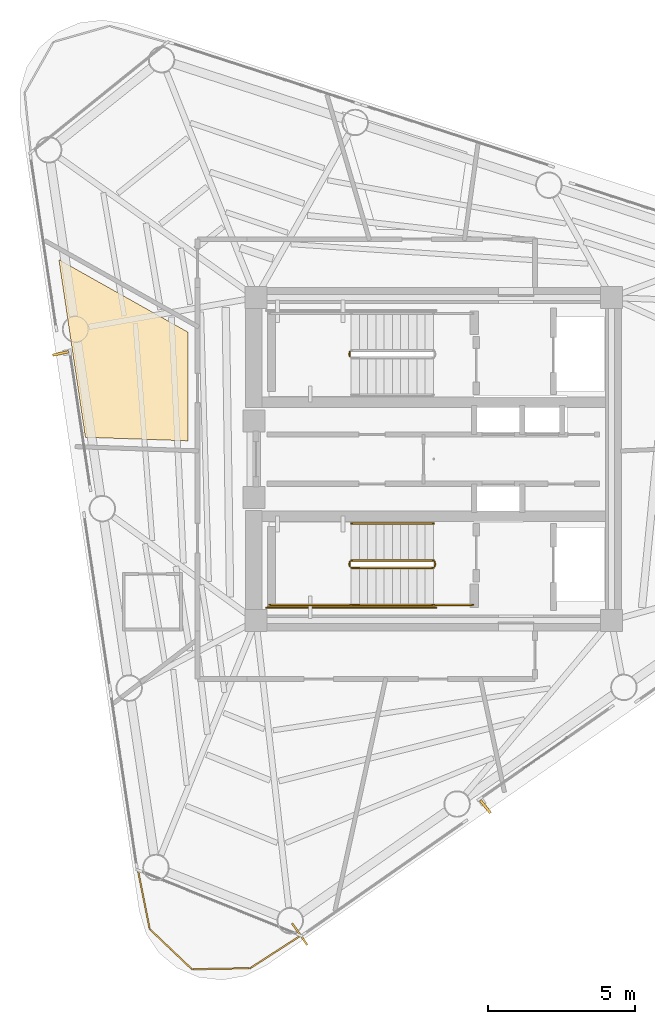
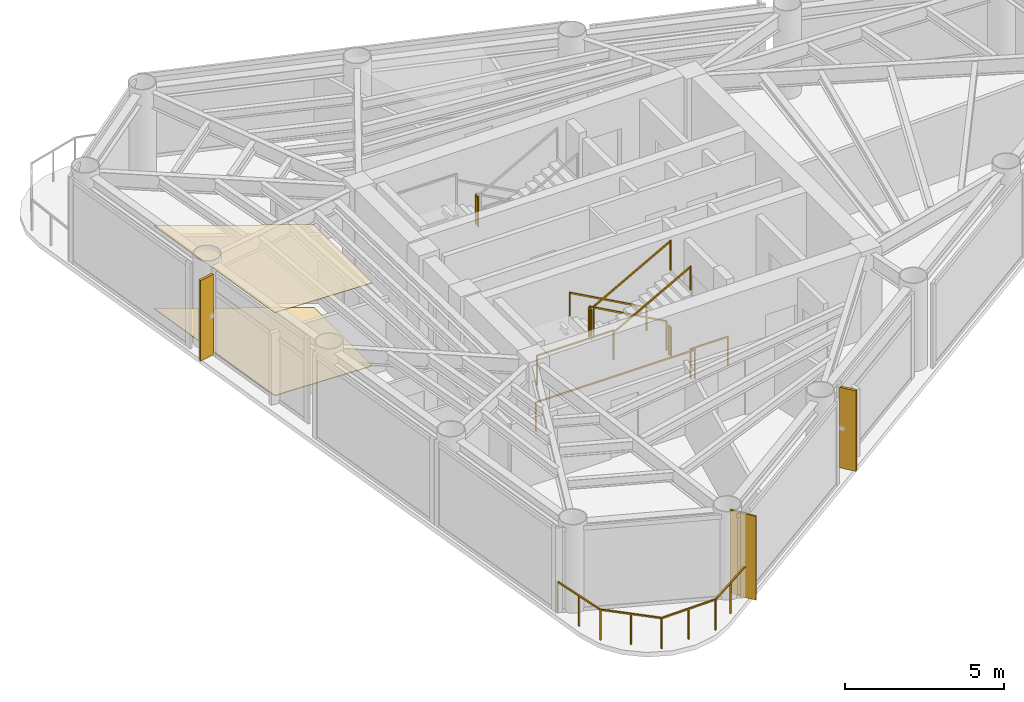
# One storey, part 7 of 9: 11 railings, 3 coverings, 2 shading devices.
"""IFC4 building model written with IfcOpenShell, lengths in metres."""

import ifcopenshell
import ifcopenshell.guid

model = None  # the IFC model being written
_history = None  # IfcOwnerHistory: only IFC2X3 demands one
_inside = {}  # id of a spatial element -> (the spatial element, [elements in it])
_under = {}  # id of a project, library or spatial element -> (it, [spatial elements below it])
_declared = {}  # id of a project -> (the project, [libraries it declares])
_typed = {}  # id of a type object -> (the type object, [elements of that type])
_made_of = {}  # id of a material, layer set ... -> (it, [elements and type objects made of it])


def new_model(schema):
    """Start an empty IFC model of exactly this schema.

    Asked for "IFC4X3", IfcOpenShell would pick the latest addendum, in which some entities
    have other attributes; the version numbers below select the first issue.
    IFC2X3 requires an IfcOwnerHistory on every rooted entity: one is made here for all.
    """
    global model, _history
    if schema == "IFC4X3":
        model = ifcopenshell.file(schema_version=(4, 3, 0, 0))
    else:
        model = ifcopenshell.file(schema=schema)
    _inside.clear()
    _under.clear()
    _declared.clear()
    _typed.clear()
    _made_of.clear()
    _history = None
    if model.schema == "IFC2X3":
        org = make("IfcOrganization", Name="unknown")
        user = make(
            "IfcPersonAndOrganization",
            ThePerson=make("IfcPerson", FamilyName="unknown"),
            TheOrganization=org,
        )
        app = make(
            "IfcApplication",
            ApplicationDeveloper=org,
            Version="unknown",
            ApplicationFullName="unknown",
            ApplicationIdentifier="unknown",
        )
        _history = make(
            "IfcOwnerHistory",
            OwningUser=user,
            OwningApplication=app,
            ChangeAction="ADDED",
            CreationDate=0,
        )
    return model


def make(cls, **values):
    """One entity of the class cls with the attributes given. An attribute that is None is left unset."""
    return model.create_entity(
        cls, **{name: value for name, value in values.items() if value is not None}
    )


def rooted(cls, **values):
    """An entity with a GlobalId (a new one), such as an element, a storey or a relation."""
    return make(cls, GlobalId=ifcopenshell.guid.new(), OwnerHistory=_history, **values)


def si_unit(unit_type, name, prefix=None):
    """IfcSIUnit, for example si_unit("LENGTHUNIT", "METRE", prefix="MILLI")."""
    return make("IfcSIUnit", UnitType=unit_type, Prefix=prefix, Name=name)


def assignment(units):
    """IfcUnitAssignment: the units of a project."""
    return None if units is None else make("IfcUnitAssignment", Units=units)


def point(xyz):
    """IfcCartesianPoint."""
    return None if xyz is None else make("IfcCartesianPoint", Coordinates=xyz)


def direction(xyz):
    """IfcDirection."""
    return None if xyz is None else make("IfcDirection", DirectionRatios=xyz)


def frame(location, z_axis=None, x_axis=None):
    """IfcAxis2Placement3D, a coordinate frame: its origin and axes. An axis left out is left unset."""
    return make(
        "IfcAxis2Placement3D",
        Location=point(location),
        Axis=direction(z_axis),
        RefDirection=direction(x_axis),
    )


def frame_2d(location, x_axis=None):
    """IfcAxis2Placement2D, a coordinate frame in the plane: its origin and x axis."""
    return make(
        "IfcAxis2Placement2D", Location=point(location), RefDirection=direction(x_axis)
    )


def origin():
    """The frame at (0, 0, 0) with its axes left unset."""
    return frame((0.0, 0.0, 0.0))


def origin_2d():
    """The frame at (0, 0) in the plane with its x axis left unset."""
    return frame_2d((0.0, 0.0))


def place(relative_to, where):
    """IfcLocalPlacement: puts the frame where relative to a parent placement (None: the world)."""
    return make(
        "IfcLocalPlacement", PlacementRelTo=relative_to, RelativePlacement=where
    )


def context(
    kind, dimensions, precision=None, world=None, true_north=None, identifier=None
):
    """IfcGeometricRepresentationContext, for example the 3D "Model" context."""
    return make(
        "IfcGeometricRepresentationContext",
        ContextIdentifier=identifier,
        ContextType=kind,
        CoordinateSpaceDimension=dimensions,
        Precision=precision,
        WorldCoordinateSystem=world,
        TrueNorth=true_north,
    )


def subcontext(parent, identifier, kind, view, scale=None):
    """IfcGeometricRepresentationSubContext, for example "Body" below "Model"."""
    return make(
        "IfcGeometricRepresentationSubContext",
        ContextIdentifier=identifier,
        ContextType=kind,
        ParentContext=parent,
        TargetScale=scale,
        TargetView=view,
    )


def project(units=None, contexts=None):
    """IfcProject with its units and contexts."""
    return rooted(
        "IfcProject",
        Name="project",
        RepresentationContexts=contexts,
        UnitsInContext=assignment(units),
    )


def spatial(cls, under=None, at=None, **own):
    """A site, building, storey or space (cls), placed at a placement, below another one or the project."""
    s = rooted(cls, ObjectPlacement=at, **own)
    if under is not None:
        _under.setdefault(under.id(), (under, []))[1].append(s)
    return s


def polyline(points):
    """IfcPolyline through the points."""
    return make("IfcPolyline", Points=[point(p) for p in points])


def profile(cls, at=None, kind="AREA", **sizes):
    """A parametric profile (cls). Its sizes go by their IFC names, for example OverallWidth=200.0."""
    return make(cls, ProfileType=kind, Position=at, **sizes)


def rectangle(**sizes):
    """IfcRectangleProfileDef."""
    return profile("IfcRectangleProfileDef", **sizes)


def outline(outer, holes=None, kind="AREA"):
    """IfcArbitraryClosedProfileDef: a profile drawn as a closed curve; with holes, ...WithVoids."""
    if holes is None:
        return make("IfcArbitraryClosedProfileDef", ProfileType=kind, OuterCurve=outer)
    return make(
        "IfcArbitraryProfileDefWithVoids",
        ProfileType=kind,
        OuterCurve=outer,
        InnerCurves=holes,
    )


def extrude(swept, where, along, depth):
    """IfcExtrudedAreaSolid: the profile swept, set in the frame where, extruded along a direction by depth."""
    return make(
        "IfcExtrudedAreaSolid",
        SweptArea=swept,
        Position=where,
        ExtrudedDirection=direction(along),
        Depth=depth,
    )


def shape(context_of_items, identifier, shape_type, items):
    """IfcShapeRepresentation: the items that make up one representation, for example the "Body"."""
    return make(
        "IfcShapeRepresentation",
        ContextOfItems=context_of_items,
        RepresentationIdentifier=identifier,
        RepresentationType=shape_type,
        Items=items,
    )


def source(mapping_origin, context_of_items, identifier, shape_type, items):
    """IfcRepresentationMap: a shape defined once, which mapped items show again and again."""
    return make(
        "IfcRepresentationMap",
        MappingOrigin=mapping_origin,
        MappedRepresentation=shape(context_of_items, identifier, shape_type, items),
    )


def transform(
    local_origin,
    x_axis=None,
    y_axis=None,
    z_axis=None,
    scale=None,
    scale2=None,
    scale3=None,
    uniform=True,
):
    """IfcCartesianTransformationOperator3D, or its non-uniform kind. x_axis, y_axis, z_axis: its Axis1, 2, 3."""
    if uniform:
        return make(
            "IfcCartesianTransformationOperator3D",
            Axis1=direction(x_axis),
            Axis2=direction(y_axis),
            LocalOrigin=point(local_origin),
            Scale=scale,
            Axis3=direction(z_axis),
        )
    return make(
        "IfcCartesianTransformationOperator3DnonUniform",
        Axis1=direction(x_axis),
        Axis2=direction(y_axis),
        LocalOrigin=point(local_origin),
        Scale=scale,
        Axis3=direction(z_axis),
        Scale2=scale2,
        Scale3=scale3,
    )


def mapped(mapping_source, mapping_target):
    """IfcMappedItem: shows the shape of a source again, moved by a transform."""
    return make(
        "IfcMappedItem", MappingSource=mapping_source, MappingTarget=mapping_target
    )


def material(Name=None, Category=None):
    """IfcMaterial."""
    return make("IfcMaterial", Name=Name, Category=Category)


def layer(
    of_material, thickness, ventilated=None, Name=None, Category=None, Priority=None
):
    """IfcMaterialLayer: one layer of a wall or slab, of a material (None: an air gap)."""
    return make(
        "IfcMaterialLayer",
        Material=of_material,
        LayerThickness=thickness,
        IsVentilated=ventilated,
        Name=Name,
        Category=Category,
        Priority=Priority,
    )


def layer_set(layers, Name=None):
    """IfcMaterialLayerSet."""
    return make("IfcMaterialLayerSet", MaterialLayers=layers, LayerSetName=Name)


def material_profile(
    of_material, cross_section, Name=None, Category=None, Priority=None
):
    """IfcMaterialProfile: a cross section and its material."""
    return make(
        "IfcMaterialProfile",
        Name=Name,
        Material=of_material,
        Profile=cross_section,
        Priority=Priority,
        Category=Category,
    )


def profile_set(profiles, Name=None, composite=None):
    """IfcMaterialProfileSet."""
    return make(
        "IfcMaterialProfileSet",
        Name=Name,
        MaterialProfiles=profiles,
        CompositeProfile=composite,
    )


def made_of(thing, what):
    """Note that an element or type object is made of a material, layer set ...; save() writes the relation."""
    if what is not None:
        _made_of.setdefault(what.id(), (what, []))[1].append(thing)
    return thing


def type_object(cls, material=None, **own):
    """A type object (cls), such as IfcWallType, which elements share."""
    return made_of(rooted(cls, **own), material)


def element(
    cls,
    number,
    at=None,
    inside=None,
    cuts=None,
    type_object=None,
    material=None,
    context=None,
    identifier="Body",
    shape_type=None,
    held_by="IfcProductDefinitionShape",
    body=None,
    shapes=None,
    **own,
):
    """One element of the class cls, such as IfcWall. Its Tag is "e" and its number.

    at: its placement. inside: the storey or other place that contains it. cuts: it is an
    opening in that element (IfcRelVoidsElement). A single representation is given by context,
    identifier, shape_type and body (its items); several are given by shapes. held_by: the class
    of the entity that holds the representations. save() writes the other relations.
    """
    e = rooted(cls, Tag="e%d" % number, ObjectPlacement=at, **own)
    if body is not None:
        shapes = [shape(context, identifier, shape_type, body)]
    if shapes is not None:
        e.Representation = make(held_by, Representations=shapes)
    if inside is not None:
        _inside.setdefault(inside.id(), (inside, []))[1].append(e)
    if cuts is not None:
        rooted(
            "IfcRelVoidsElement", RelatingBuildingElement=cuts, RelatedOpeningElement=e
        )
    if type_object is not None:
        _typed.setdefault(type_object.id(), (type_object, []))[1].append(e)
    return made_of(e, material)


def aggregate(whole, parts):
    """IfcRelAggregates: a whole, such as a stair, and the parts it consists of."""
    return rooted("IfcRelAggregates", RelatingObject=whole, RelatedObjects=parts)


def save(model, path):
    """Write the relations noted so far, then the file.

    IfcRelAggregates (storeys below a building ...), IfcRelContainedInSpatialStructure (elements
    in a storey), IfcRelDefinesByType, IfcRelAssociatesMaterial and IfcRelDeclares: one each for
    every whole, place, type object, material and project.
    """
    for whole, parts in _under.values():
        aggregate(whole, parts)
    for where, things in _inside.values():
        rooted(
            "IfcRelContainedInSpatialStructure",
            RelatedElements=things,
            RelatingStructure=where,
        )
    for kind, things in _typed.values():
        rooted("IfcRelDefinesByType", RelatedObjects=things, RelatingType=kind)
    for what, things in _made_of.values():
        rooted("IfcRelAssociatesMaterial", RelatedObjects=things, RelatingMaterial=what)
    for by, libraries in _declared.values():
        rooted("IfcRelDeclares", RelatingContext=by, RelatedDefinitions=libraries)
    model.write(path)


model = new_model("IFC4")

# Units and contexts
model_context = context("Model", 3, precision=1e-05, world=origin(), true_north=direction((0.0, 1.0)))
body_context = subcontext(model_context, "Body", "Model", "MODEL_VIEW")
ifc_project = project(units=[si_unit("LENGTHUNIT", "METRE"), si_unit("AREAUNIT", "SQUARE_METRE"), si_unit("VOLUMEUNIT", "CUBIC_METRE"), si_unit("PLANEANGLEUNIT", "RADIAN"), si_unit("MASSUNIT", "GRAM", prefix="KILO")], contexts=[model_context])

# Site, building, storey
site_placement = place(None, origin())
site = spatial("IfcSite", under=ifc_project, at=site_placement, CompositionType="ELEMENT")
building_placement = place(site_placement, origin())
building = spatial("IfcBuilding", under=site, at=building_placement, Name="Yunling Apex Tower", CompositionType="ELEMENT")
storey_placement = place(building_placement, frame((0.0, 0.0, 257.550048828125)))
storey = spatial("IfcBuildingStorey", under=building, at=storey_placement, Name="L62", CompositionType="ELEMENT", Elevation=257.550048828125)

# Coverings
ifc_material_1 = material(Name="Acoustic mineral fibre ceiling")
ifc_layer_1 = layer(ifc_material_1, 0.02490234375)
ifc_layer_set_1 = layer_set([ifc_layer_1], Name="Acoustic mineral fibre ceiling")
covering_type_1 = type_object("IfcCoveringType", Name="CV-CLG-1", PredefinedType="CEILING", material=ifc_layer_set_1)
covering_1_placement = place(storey_placement, frame((0.0, 0.0, 3.195068359375)))
element("IfcCovering", 1, at=covering_1_placement, inside=storey, type_object=covering_type_1, Name="CV-CL-SP-L62-AMN8", PredefinedType="CEILING", context=body_context, shape_type="SweptSolid", body=[
    extrude(outline(polyline([(-11.859375, 0.744384765625), (-12.763427734375, 6.793701171875), (-8.3701171875, 4.324951171875), (-8.3701171875, 0.62255859375), (-11.859375, 0.744384765625)])), origin(), (0.0, 0.0, 1.0), 0.02490234375),
])
ifc_material_2 = material(Name="Polished granite stone", Category="masonry")
ifc_layer_2 = layer(ifc_material_2, 0.030029296875)
ifc_layer_set_2 = layer_set([ifc_layer_2], Name="Polished granite stone")
covering_type_2 = type_object("IfcCoveringType", Name="CV-FLR-1", PredefinedType="FLOORING", material=ifc_layer_set_2)
covering_2_placement = place(storey_placement, origin())
element("IfcCovering", 2, at=covering_2_placement, inside=storey, type_object=covering_type_2, Name="CV-FL-SP-L62-AMN8", PredefinedType="FLOORING", context=body_context, shape_type="SweptSolid", body=[
    extrude(outline(polyline([(-11.859375, 0.744384765625), (-12.763427734375, 6.793701171875), (-8.3701171875, 4.324951171875), (-8.3701171875, 0.62255859375), (-11.859375, 0.744384765625)])), origin(), (0.0, 0.0, 1.0), 0.030029296875),
])

# Railings
ifc_material_3 = material(Name="Bronze anodised aluminium", Category="aluminium")
railing_type_1 = type_object("IfcRailingType", Name="RL-BAL-1200", PredefinedType="BALUSTRADE", material=ifc_material_3)
railing_1_placement = place(storey_placement, frame((-4.528564453125, -16.22509765625, 0.0)))
element("IfcRailing", 3, at=railing_1_placement, inside=storey, type_object=railing_type_1, Name="RL-CRNSILL-L62-3", PredefinedType="BALUSTRADE", context=body_context, shape_type="SweptSolid", body=[
    extrude(rectangle(XDim=0.0439453125, YDim=0.0439453125, at=origin_2d()), origin(), (0.0, 0.0, 1.0), 1.199951171875),
    extrude(rectangle(XDim=0.0439453125, YDim=0.0439453125, at=origin_2d()), frame((-1.718017578125, -1.109130859375, 0.0)), (0.0, 0.0, 1.0), 1.199951171875),
    extrude(rectangle(XDim=0.050048828125, YDim=0.050048828125, at=origin_2d()), frame((-0.0322265625, -0.020751953125, 1.1748046875), z_axis=(-0.840133449473, -0.542379744345, 0.0), x_axis=(0.542379744345, -0.840133449473, 0.0)), (0.0, 0.0, 1.0), 1.96826171875),
    extrude(rectangle(XDim=0.0439453125, YDim=0.0439453125, at=origin_2d()), frame((-0.85888671875, -0.5546875, 0.0)), (0.0, 0.0, 1.0), 1.14599609375),
    extrude(rectangle(XDim=0.0439453125, YDim=0.0439453125, at=origin_2d()), frame((-3.700439453125, -1.147705078125, 0.0)), (0.0, 0.0, 1.0), 1.199951171875),
    extrude(rectangle(XDim=0.050048828125, YDim=0.050048828125, at=origin_2d()), frame((-1.75634765625, -1.10986328125, 1.1748046875), z_axis=(-0.999810744366, -0.019454445518, 0.0), x_axis=(0.019454445518, -0.999810744366, 0.0)), (0.0, 0.0, 1.0), 1.90625),
    extrude(rectangle(XDim=0.0439453125, YDim=0.0439453125, at=origin_2d()), frame((-2.709228515625, -1.12841796875, 0.0)), (0.0, 0.0, 1.0), 1.14599609375),
    extrude(rectangle(XDim=0.0439453125, YDim=0.0439453125, at=origin_2d()), frame((-5.141845703125, 0.223388671875, 0.0)), (0.0, 0.0, 1.0), 1.199951171875),
    extrude(rectangle(XDim=0.050048828125, YDim=0.050048828125, at=origin_2d()), frame((-3.728271484375, -1.121337890625, 1.1748046875), z_axis=(-0.72455806169, 0.689213765998, 0.0), x_axis=(-0.689213765998, -0.72455806169, 0.0)), (0.0, 0.0, 1.0), 1.91259765625),
    extrude(rectangle(XDim=0.0439453125, YDim=0.0439453125, at=origin_2d()), frame((-4.421142578125, -0.462158203125, 0.0)), (0.0, 0.0, 1.0), 1.14599609375),
    extrude(rectangle(XDim=0.0439453125, YDim=0.0439453125, at=origin_2d()), frame((-5.542236328125, 2.228271484375, 0.0)), (0.0, 0.0, 1.0), 1.199951171875),
    extrude(rectangle(XDim=0.050048828125, YDim=0.050048828125, at=origin_2d()), frame((-5.1494140625, 0.260986328125, 1.1748046875), z_axis=(-0.195840554381, 0.980635751571, 0.0), x_axis=(-0.980635751571, -0.195840554381, 0.0)), (0.0, 0.0, 1.0), 1.9677734375),
    extrude(rectangle(XDim=0.0439453125, YDim=0.0439453125, at=origin_2d()), frame((-5.342041015625, 1.225830078125, 0.0)), (0.0, 0.0, 1.0), 1.14599609375),
])
ifc_material_4 = material(Name="Steel Q355B", Category="steel")
railing_type_2 = type_object("IfcRailingType", Name="RL-GRD-1150", PredefinedType="GUARDRAIL", material=ifc_material_4)
railing_2_placement = place(storey_placement, frame((-2.860107421875, 3.64990234375, 1.699951171875)))
element("IfcRailing", 4, at=railing_2_placement, inside=storey, type_object=railing_type_2, Name="L62 ST-1 stair guard 2", PredefinedType="GUARDRAIL", context=body_context, shape_type="SweptSolid", body=[
    extrude(rectangle(XDim=0.0439453125, YDim=0.0439453125, at=origin_2d()), origin(), (0.0, 0.0, 1.0), 1.14990234375),
    extrude(rectangle(XDim=0.0439453125, YDim=0.0439453125, at=origin_2d()), frame((0.0, -0.14990234375, 0.0)), (0.0, 0.0, 1.0), 1.14990234375),
    extrude(rectangle(XDim=0.050048828125, YDim=0.050048828125, at=origin_2d()), frame((0.0, -0.038330078125, 1.125), z_axis=(0.0, -1.0, 0.0), x_axis=(1.0, 0.0, 0.0)), (0.0, 0.0, 1.0), 0.0732421875),
])
railing_3_placement = place(storey_placement, frame((-0.010009765625, -3.449951171875, 0.154541015625)))
element("IfcRailing", 5, at=railing_3_placement, inside=storey, type_object=railing_type_2, Name="L62 ST-2 stair guard 1", PredefinedType="GUARDRAIL", context=body_context, shape_type="SweptSolid", body=[
    extrude(rectangle(XDim=0.0439453125, YDim=0.0439453125, at=origin_2d()), origin(), (0.0, 0.0, 1.0), 1.14990234375),
    extrude(rectangle(XDim=0.0439453125, YDim=0.0439453125, at=origin_2d()), frame((-2.800048828125, 0.0, 1.54541015625)), (0.0, 0.0, 1.0), 1.14990234375),
    extrude(rectangle(XDim=0.050048828125, YDim=0.050048828125, at=origin_2d()), frame((-0.033447265625, 0.0, 1.143310546875), z_axis=(-0.875504190374, 0.0, 0.483210526207), x_axis=(0.0, -1.0, 0.0)), (0.0, 0.0, 1.0), 3.12158203125),
])
railing_4_placement = place(storey_placement, frame((-2.860107421875, -3.5, 1.699951171875)))
element("IfcRailing", 6, at=railing_4_placement, inside=storey, type_object=railing_type_2, Name="L62 ST-2 stair guard 2", PredefinedType="GUARDRAIL", context=body_context, shape_type="SweptSolid", body=[
    extrude(rectangle(XDim=0.0439453125, YDim=0.0439453125, at=origin_2d()), origin(), (0.0, 0.0, 1.0), 1.14990234375),
    extrude(rectangle(XDim=0.0439453125, YDim=0.0439453125, at=origin_2d()), frame((0.0, -0.14990234375, 0.0)), (0.0, 0.0, 1.0), 1.14990234375),
    extrude(rectangle(XDim=0.050048828125, YDim=0.050048828125, at=origin_2d()), frame((0.0, -0.038330078125, 1.125), z_axis=(0.0, -1.0, 0.0), x_axis=(1.0, 0.0, 0.0)), (0.0, 0.0, 1.0), 0.0732421875),
])
railing_5_placement = place(storey_placement, frame((-2.81005859375, -4.9599609375, 1.699951171875)))
element("IfcRailing", 7, at=railing_5_placement, inside=storey, type_object=railing_type_2, Name="L62 ST-2 stair guard 3", PredefinedType="GUARDRAIL", context=body_context, shape_type="SweptSolid", body=[
    extrude(rectangle(XDim=0.0439453125, YDim=0.0439453125, at=origin_2d()), origin(), (0.0, 0.0, 1.0), 1.14990234375),
    extrude(rectangle(XDim=0.0439453125, YDim=0.0439453125, at=origin_2d()), frame((-2.7900390625, 0.0, 0.0)), (0.0, 0.0, 1.0), 1.14990234375),
    extrude(rectangle(XDim=0.050048828125, YDim=0.050048828125, at=origin_2d()), frame((-0.038330078125, 0.0, 1.125), z_axis=(-1.0, 0.0, 0.0), x_axis=(0.0, -1.0, 0.0)), (0.0, 0.0, 1.0), 2.71337890625),
])
railing_6_placement = place(storey_placement, frame((-2.81005859375, -3.699951171875, 1.8544921875)))
element("IfcRailing", 8, at=railing_6_placement, inside=storey, type_object=railing_type_2, Name="L62 ST-2 stair guard 4", PredefinedType="GUARDRAIL", context=body_context, shape_type="SweptSolid", body=[
    extrude(rectangle(XDim=0.0439453125, YDim=0.0439453125, at=origin_2d()), origin(), (0.0, 0.0, 1.0), 1.14990234375),
    extrude(rectangle(XDim=0.0439453125, YDim=0.0439453125, at=origin_2d()), frame((2.800048828125, 0.0, 1.54541015625)), (0.0, 0.0, 1.0), 1.14990234375),
    extrude(rectangle(XDim=0.050048828125, YDim=0.050048828125, at=origin_2d()), frame((0.033447265625, 0.0, 1.143310546875), z_axis=(0.875504190374, 0.0, 0.483210526207), x_axis=(0.0, 1.0, 0.0)), (0.0, 0.0, 1.0), 3.12158203125),
])
railing_7_placement = place(storey_placement, frame((0.0400390625, -3.5, 0.0)))
element("IfcRailing", 9, at=railing_7_placement, inside=storey, type_object=railing_type_2, Name="L62 ST-2 stair guard 5", PredefinedType="GUARDRAIL", context=body_context, shape_type="SweptSolid", body=[
    extrude(rectangle(XDim=0.0439453125, YDim=0.0439453125, at=origin_2d()), origin(), (0.0, 0.0, 1.0), 1.14990234375),
    extrude(rectangle(XDim=0.0439453125, YDim=0.0439453125, at=origin_2d()), frame((0.0, -0.14990234375, 0.0)), (0.0, 0.0, 1.0), 1.14990234375),
    extrude(rectangle(XDim=0.050048828125, YDim=0.050048828125, at=origin_2d()), frame((0.0, -0.038330078125, 1.125), z_axis=(0.0, -1.0, 0.0), x_axis=(1.0, 0.0, 0.0)), (0.0, 0.0, 1.0), 0.0732421875),
])
railing_8_placement = place(storey_placement, frame((1.35009765625, -4.9599609375, 0.0)))
element("IfcRailing", 10, at=railing_8_placement, inside=storey, type_object=railing_type_2, Name="L62 ST-2 stair guard 6", PredefinedType="GUARDRAIL", context=body_context, shape_type="SweptSolid", body=[
    extrude(rectangle(XDim=0.0439453125, YDim=0.0439453125, at=origin_2d()), origin(), (0.0, 0.0, 1.0), 1.14990234375),
    extrude(rectangle(XDim=0.0439453125, YDim=0.0439453125, at=origin_2d()), frame((-1.360107421875, 0.0, 0.0)), (0.0, 0.0, 1.0), 1.14990234375),
    extrude(rectangle(XDim=0.050048828125, YDim=0.050048828125, at=origin_2d()), frame((-0.038330078125, 0.0, 1.125), z_axis=(-1.0, 0.0, 0.0), x_axis=(0.0, -1.0, 0.0)), (0.0, 0.0, 1.0), 1.283447265625),
])
railing_9_placement = place(storey_placement, frame((0.090087890625, -5.06005859375, 0.0)))
element("IfcRailing", 11, at=railing_9_placement, inside=storey, type_object=railing_type_2, Name="L62 ST-2 stair guard 7", PredefinedType="GUARDRAIL", context=body_context, shape_type="SweptSolid", body=[
    extrude(rectangle(XDim=0.0439453125, YDim=0.0439453125, at=origin_2d()), origin(), (0.0, 0.0, 1.0), 1.14990234375),
    extrude(rectangle(XDim=0.0439453125, YDim=0.0439453125, at=origin_2d()), frame((-5.7900390625, 0.0, 0.0)), (0.0, 0.0, 1.0), 1.14990234375),
    extrude(rectangle(XDim=0.050048828125, YDim=0.050048828125, at=origin_2d()), frame((-0.038330078125, 0.0, 1.125), z_axis=(-1.0, 0.0, 0.0), x_axis=(0.0, -1.0, 0.0)), (0.0, 0.0, 1.0), 5.71337890625),
])
ifc_material_5 = material(Name="Silver anodised aluminium", Category="aluminium")
railing_type_3 = type_object("IfcRailingType", Name="RL-HND-900", PredefinedType="HANDRAIL", material=ifc_material_5)
railing_10_placement = place(storey_placement, frame((-0.010009765625, -2.18994140625, 0.154541015625)))
element("IfcRailing", 12, at=railing_10_placement, inside=storey, type_object=railing_type_3, Name="L62 ST-2 stair handrail 1", PredefinedType="HANDRAIL", context=body_context, shape_type="SweptSolid", body=[
    extrude(rectangle(XDim=0.0439453125, YDim=0.0439453125, at=origin_2d()), origin(), (0.0, 0.0, 1.0), 0.919921875),
    extrude(rectangle(XDim=0.0439453125, YDim=0.0439453125, at=origin_2d()), frame((-2.800048828125, 0.0, 1.54541015625)), (0.0, 0.0, 1.0), 0.919921875),
    extrude(rectangle(XDim=0.050048828125, YDim=0.050048828125, at=origin_2d()), frame((-0.033447265625, 0.0, 0.913330078125), z_axis=(-0.875504190374, 0.0, 0.483210526207), x_axis=(0.0, -1.0, 0.0)), (0.0, 0.0, 1.0), 3.12158203125),
])
railing_11_placement = place(storey_placement, frame((-2.81005859375, -4.9599609375, 1.8544921875)))
element("IfcRailing", 13, at=railing_11_placement, inside=storey, type_object=railing_type_3, Name="L62 ST-2 stair handrail 2", PredefinedType="HANDRAIL", context=body_context, shape_type="SweptSolid", body=[
    extrude(rectangle(XDim=0.0439453125, YDim=0.0439453125, at=origin_2d()), origin(), (0.0, 0.0, 1.0), 0.919921875),
    extrude(rectangle(XDim=0.0439453125, YDim=0.0439453125, at=origin_2d()), frame((2.800048828125, 0.0, 1.54541015625)), (0.0, 0.0, 1.0), 0.919921875),
    extrude(rectangle(XDim=0.050048828125, YDim=0.050048828125, at=origin_2d()), frame((0.033447265625, 0.0, 0.913330078125), z_axis=(0.875504190374, 0.0, 0.483210526207), x_axis=(0.0, 1.0, 0.0)), (0.0, 0.0, 1.0), 3.12158203125),
])

# Covering
ifc_layer_3 = layer(ifc_material_3, 0.0400390625)
ifc_layer_set_3 = layer_set([ifc_layer_3], Name="Bronze anodised aluminium")
covering_type_3 = type_object("IfcCoveringType", Name="CV-CLD-1", PredefinedType="CLADDING", material=ifc_layer_set_3)
shared_shape_1 = source(origin(), body_context, "Body", "SweptSolid", [
    extrude(rectangle(XDim=0.06005859375, YDim=0.89990234375, at=origin_2d()), origin(), (0.0, 0.0, 1.0), 3.219970703125),
])
covering_3_placement = place(storey_placement, frame((-4.56298828125, -16.17578125, 0.0), z_axis=(0.0, 0.0, 1.0), x_axis=(0.819552276527, 0.573004420611, 0.0)))
element("IfcCovering", 14, at=covering_3_placement, inside=storey, type_object=covering_type_3, Name="CV-CLD-L62", PredefinedType="CLADDING", context=body_context, shape_type="MappedRepresentation", body=[
    mapped(shared_shape_1, transform((0.0, 0.0, 0.0), scale=1.0)),
])

# Shading devices
ifc_material_profile = material_profile(ifc_material_3, rectangle(XDim=0.0849609375, YDim=0.550048828125, at=origin_2d()))
ifc_profile_set = profile_set([ifc_material_profile], Name="Bronze anodised aluminium")
shading_device_type = type_object("IfcShadingDeviceType", Name="FN-BRZ-3", PredefinedType="USERDEFINED", material=ifc_profile_set)
shared_shape_2 = source(origin(), body_context, "Body", "SweptSolid", [
    extrude(rectangle(XDim=0.0849609375, YDim=0.550048828125, at=origin_2d()), origin(), (0.0, 0.0, 1.0), 3.10009765625),
])
for number, where, z_axis, x_axis, name in (
    (15, (1.76171875, -11.8330078125, 0.059814453125), (0.0, 0.0, 1.0), (0.780321270022, 0.625378857614, 0.0), "CW-L62-F1-B2-FIN-01"),
    (16, (-12.705322265625, 3.598876953125, 0.059814453125), (0.0, 0.0, 1.0), (0.212177672156, -0.977231106463, 0.0), "CW-L62-F3-B2-FIN-01"),
):
    element("IfcShadingDevice", number, at=place(storey_placement, frame(where, z_axis=z_axis, x_axis=x_axis)), inside=storey, type_object=shading_device_type, Name=name, ObjectType="FIN", PredefinedType="USERDEFINED", context=body_context, shape_type="MappedRepresentation", body=[
        mapped(shared_shape_2, transform((0.0, 0.0, 0.0), scale=1.0)),
    ])

save(model, "model.ifc")
